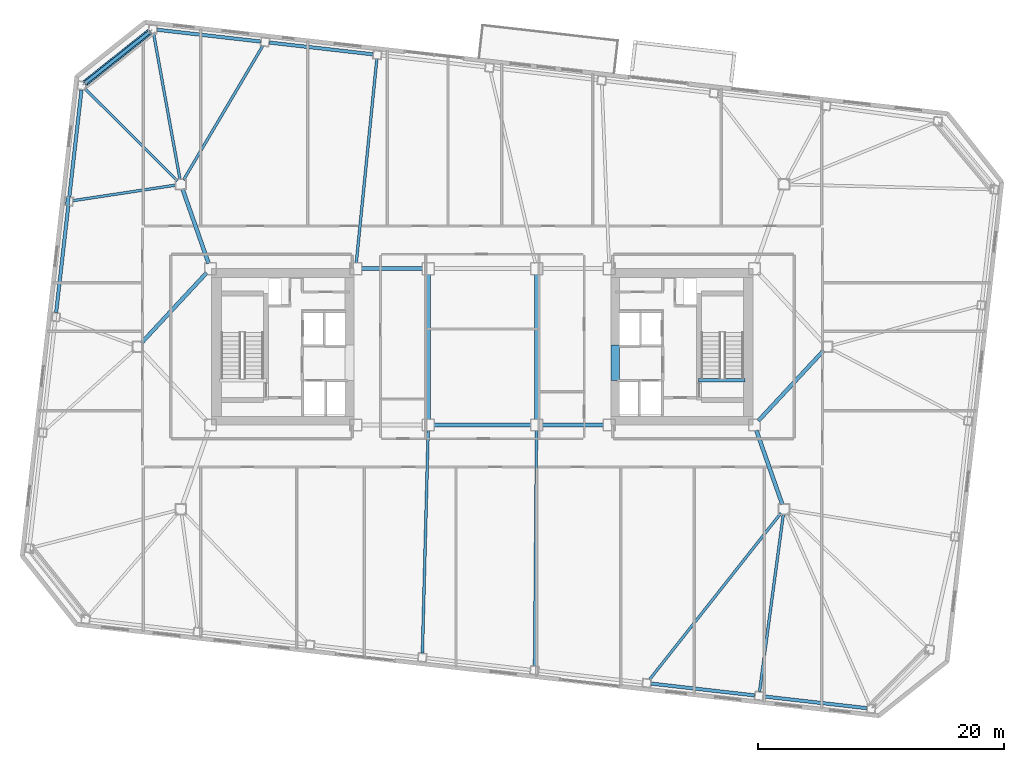
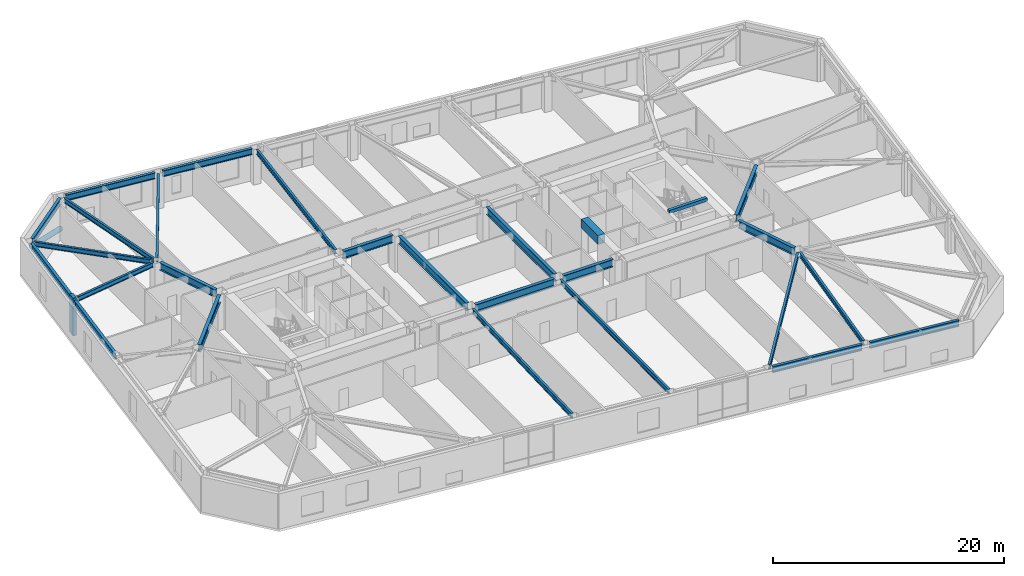
# One storey, part 5 of 21: 27 beams, 2 members.
"""IFC4 building model written with IfcOpenShell, lengths in metres."""

from ifc_helpers import new_model, si_unit, direction, frame, origin, origin_2d, place, context, subcontext, project, spatial, rectangle, hollow_circle, i_section, extrude, material, material_profile, profile_set, type_object, element, save


model = new_model("IFC4")

# Units and contexts
model_context = context("Model", 3, precision=1e-05, world=origin(), true_north=direction((0.0, 1.0)))
body_context = subcontext(model_context, "Body", "Model", "MODEL_VIEW")
ifc_project = project(units=[si_unit("LENGTHUNIT", "METRE"), si_unit("AREAUNIT", "SQUARE_METRE"), si_unit("VOLUMEUNIT", "CUBIC_METRE"), si_unit("PLANEANGLEUNIT", "RADIAN"), si_unit("MASSUNIT", "GRAM", prefix="KILO")], contexts=[model_context])

# Site, building, storey
site_placement = place(None, origin())
site = spatial("IfcSite", under=ifc_project, at=site_placement, CompositionType="ELEMENT")
building_placement = place(site_placement, origin())
building = spatial("IfcBuilding", under=site, at=building_placement, Name="Tavrogorsk Clinical Tower", CompositionType="ELEMENT")
storey_placement = place(building_placement, frame((0.0, 0.0, 125.39990234375)))
storey = spatial("IfcBuildingStorey", under=building, at=storey_placement, Name="L28", CompositionType="ELEMENT", Elevation=125.39990234375)

# Beam
ifc_material_1 = material(Name="Concrete B80", Category="concrete")
ifc_material_profile_1 = material_profile(ifc_material_1, rectangle(XDim=0.699951171875, YDim=0.949951171875, at=origin_2d()), Name="RC-CB-700x950")
ifc_profile_set_1 = profile_set([ifc_material_profile_1], Name="Concrete B80")
beam_type_1 = type_object("IfcBeamType", Name="CouplingBeam_RC700x950", PredefinedType="LINTEL", material=ifc_profile_set_1)
beam_1_placement = place(storey_placement, frame((10.800048828125, -2.75, 3.26513671875), z_axis=(0.0, 1.0, 0.0), x_axis=(-1.0, 0.0, 0.0)))
element("IfcBeam", 1, at=beam_1_placement, inside=storey, type_object=beam_type_1, Name="L28 Core East Coupling Beam", PredefinedType="LINTEL", context=body_context, shape_type="SweptSolid", body=[
    extrude(rectangle(XDim=0.699951171875, YDim=0.949951171875, at=origin_2d()), origin(), (0.0, 0.0, 1.0), 2.89990234375),
])

# Member
ifc_material_2 = material(Name="Structural steel S440", Category="steel")
ifc_material_profile_2 = material_profile(ifc_material_2, hollow_circle(Radius=0.25390625, WallThickness=0.02001953125, at=origin_2d()), Name="CHS-508x20")
ifc_profile_set_2 = profile_set([ifc_material_profile_2], Name="Structural steel S440")
member_type_1 = type_object("IfcMemberType", Name="ExoBrace_CHS508", PredefinedType="BRACE", material=ifc_profile_set_2)
member_1_placement = place(storey_placement, frame((-27.045654296875, 25.592041015625, 0.425048828125), z_axis=(-0.73336936718, -0.583326985798, 0.349140371371), x_axis=(0.622500682662, -0.782619256143, 0.0)))
element("IfcMember", 2, at=member_1_placement, inside=storey, type_object=member_type_1, Name="L28 Corner Exoskeleton Brace N8-W1", PredefinedType="BRACE", context=body_context, shape_type="SweptSolid", body=[
    extrude(hollow_circle(Radius=0.25390625, WallThickness=0.02001953125, at=origin_2d()), origin(), (0.0, 0.0, 1.0), 7.1318359375),
])

# Beams
ifc_material_3 = material(Name="Structural steel S355", Category="steel")
ifc_material_profile_3 = material_profile(ifc_material_3, i_section(OverallWidth=0.219970703125, OverallDepth=0.5, WebThickness=0.012939453125, FlangeThickness=0.02001953125, at=origin_2d()), Name="B-500x220x13x20")
ifc_profile_set_3 = profile_set([ifc_material_profile_3], Name="Structural steel S355")
beam_type_2 = type_object("IfcBeamType", Name="FloorBeam_B500", PredefinedType="BEAM", material=ifc_profile_set_3)
beam_2_placement = place(storey_placement, frame((-4.411865234375, -6.809814453125, 3.489990234375), z_axis=(-0.025907273598, -0.999664350257, 0.0), x_axis=(0.999664350257, -0.025907273598, 0.0)))
element("IfcBeam", 3, at=beam_2_placement, inside=storey, type_object=beam_type_2, Name="L28 Radial Floor Beam S4", PredefinedType="BEAM", context=body_context, shape_type="SweptSolid", body=[
    extrude(i_section(OverallWidth=0.219970703125, OverallDepth=0.5, WebThickness=0.012939453125, FlangeThickness=0.02001953125, at=origin_2d()), origin(), (0.0, 0.0, 1.0), 18.083984375),
])
beam_3_placement = place(storey_placement, frame((4.39599609375, -6.81005859375, 3.489990234375), z_axis=(-0.00859471964, -0.999963064715, 0.0), x_axis=(0.999963064715, -0.00859471964, 0.0)))
element("IfcBeam", 4, at=beam_3_placement, inside=storey, type_object=beam_type_2, Name="L28 Radial Floor Beam S5", PredefinedType="BEAM", context=body_context, shape_type="SweptSolid", body=[
    extrude(i_section(OverallWidth=0.219970703125, OverallDepth=0.5, WebThickness=0.012939453125, FlangeThickness=0.02001953125, at=origin_2d()), origin(), (0.0, 0.0, 1.0), 19.1171875),
])
beam_4_placement = place(storey_placement, frame((24.245849609375, -13.521728515625, 3.489990234375), z_axis=(-0.619757312108, -0.784793523221, 0.0), x_axis=(0.784793523221, -0.619757312108, 0.0)))
element("IfcBeam", 5, at=beam_4_placement, inside=storey, type_object=beam_type_2, Name="L28 Radial Floor Beam S6", PredefinedType="BEAM", context=body_context, shape_type="SweptSolid", body=[
    extrude(i_section(OverallWidth=0.219970703125, OverallDepth=0.5, WebThickness=0.012939453125, FlangeThickness=0.02001953125, at=origin_2d()), origin(), (0.0, 0.0, 1.0), 17.22802734375),
])
beam_5_placement = place(storey_placement, frame((24.445556640625, -13.6064453125, 3.489990234375), z_axis=(-0.133025440596, -0.991112623345, 0.0), x_axis=(0.991112623345, -0.133025440596, 0.0)))
element("IfcBeam", 6, at=beam_5_placement, inside=storey, type_object=beam_type_2, Name="L28 Radial Floor Beam S7", PredefinedType="BEAM", context=body_context, shape_type="SweptSolid", body=[
    extrude(i_section(OverallWidth=0.219970703125, OverallDepth=0.5, WebThickness=0.012939453125, FlangeThickness=0.02001953125, at=origin_2d()), origin(), (0.0, 0.0, 1.0), 14.530029296875),
])
beam_6_placement = place(storey_placement, frame((-10.25390625, 6.8076171875, 3.489990234375), z_axis=(0.100407035617, 0.994946444387, 0.0), x_axis=(-0.994946444387, 0.100407035617, 0.0)))
element("IfcBeam", 7, at=beam_6_placement, inside=storey, type_object=beam_type_2, Name="L28 Radial Floor Beam N6", PredefinedType="BEAM", context=body_context, shape_type="SweptSolid", body=[
    extrude(i_section(OverallWidth=0.219970703125, OverallDepth=0.5, WebThickness=0.012939453125, FlangeThickness=0.02001953125, at=origin_2d()), origin(), (0.0, 0.0, 1.0), 16.643798828125),
])
beam_7_placement = place(storey_placement, frame((-24.291259765625, 13.552978515625, 3.489990234375), z_axis=(0.508876748392, 0.86083938975, 0.0), x_axis=(-0.86083938975, 0.508876748392, 0.0)))
element("IfcBeam", 8, at=beam_7_placement, inside=storey, type_object=beam_type_2, Name="L28 Radial Floor Beam N7", PredefinedType="BEAM", context=body_context, shape_type="SweptSolid", body=[
    extrude(i_section(OverallWidth=0.219970703125, OverallDepth=0.5, WebThickness=0.012939453125, FlangeThickness=0.02001953125, at=origin_2d()), origin(), (0.0, 0.0, 1.0), 12.663330078125),
])
beam_8_placement = place(storey_placement, frame((-24.572998046875, 13.603515625, 3.489990234375), z_axis=(-0.178287530482, 0.983978432932, 0.0), x_axis=(-0.983978432932, -0.178287530482, 0.0)))
element("IfcBeam", 9, at=beam_8_placement, inside=storey, type_object=beam_type_2, Name="L28 Radial Floor Beam N8", PredefinedType="BEAM", context=body_context, shape_type="SweptSolid", body=[
    extrude(i_section(OverallWidth=0.219970703125, OverallDepth=0.5, WebThickness=0.012939453125, FlangeThickness=0.02001953125, at=origin_2d()), origin(), (0.0, 0.0, 1.0), 12.0380859375),
])
beam_9_placement = place(storey_placement, frame((-24.790283203125, 13.48974609375, 3.489990234375), z_axis=(-0.707775090959, 0.706437839175, 0.0), x_axis=(-0.706437839175, -0.707775090959, 0.0)))
element("IfcBeam", 10, at=beam_9_placement, inside=storey, type_object=beam_type_2, Name="L28 Radial Floor Beam W1", PredefinedType="BEAM", context=body_context, shape_type="SweptSolid", body=[
    extrude(i_section(OverallWidth=0.219970703125, OverallDepth=0.5, WebThickness=0.012939453125, FlangeThickness=0.02001953125, at=origin_2d()), origin(), (0.0, 0.0, 1.0), 10.589111328125),
])
beam_10_placement = place(storey_placement, frame((-24.905517578125, 13.138671875, 3.489990234375), z_axis=(-0.98878314082, -0.149358295482, 0.0), x_axis=(0.149358295482, -0.98878314082, 0.0)))
element("IfcBeam", 11, at=beam_10_placement, inside=storey, type_object=beam_type_2, Name="L28 Radial Floor Beam W2", PredefinedType="BEAM", context=body_context, shape_type="SweptSolid", body=[
    extrude(i_section(OverallWidth=0.219970703125, OverallDepth=0.5, WebThickness=0.012939453125, FlangeThickness=0.02001953125, at=origin_2d()), origin(), (0.0, 0.0, 1.0), 8.4443359375),
])

# Member
ifc_material_4 = material(Name="Precast concrete B45 with limestone cladding", Category="masonry")
ifc_material_profile_4 = material_profile(ifc_material_4, rectangle(XDim=0.320068359375, YDim=0.719970703125, at=origin_2d()), Name="LIMESTONE-FIN-320x720")
ifc_profile_set_4 = profile_set([ifc_material_profile_4], Name="Precast concrete B45 with limestone cladding")
member_type_2 = type_object("IfcMemberType", Name="LimestonePleatFin_320x720", PredefinedType="USERDEFINED", material=ifc_profile_set_4)
member_2_placement = place(storey_placement, frame((-33.688720703125, 11.8330078125, 0.0), z_axis=(0.0, 0.0, 1.0), x_axis=(0.993571855677, -0.113203213768, 0.0)))
element("IfcMember", 12, at=member_2_placement, inside=storey, type_object=member_type_2, Name="L28 W Pleated Stone Fin 1", ObjectType="FIN", PredefinedType="USERDEFINED", context=body_context, shape_type="SweptSolid", body=[
    extrude(rectangle(XDim=0.320068359375, YDim=0.719970703125, at=origin_2d()), origin(), (0.0, 0.0, 1.0), 4.0),
])

# Beams
ifc_material_5 = material(Name="Structural steel S390", Category="steel")
ifc_material_profile_5 = material_profile(ifc_material_5, i_section(OverallWidth=0.320068359375, OverallDepth=0.800048828125, WebThickness=0.02001953125, FlangeThickness=0.033935546875, at=origin_2d()), Name="B-800x320x20x34")
ifc_profile_set_5 = profile_set([ifc_material_profile_5], Name="Structural steel S390")
beam_type_3 = type_object("IfcBeamType", Name="PrimaryGirder_B800", PredefinedType="USERDEFINED", material=ifc_profile_set_5)
beam_11_placement = place(storey_placement, frame((-9.840087890625, 6.35009765625, 3.340087890625), z_axis=(1.0, 0.0, 0.0), x_axis=(0.0, 1.0, 0.0)))
element("IfcBeam", 13, at=beam_11_placement, inside=storey, type_object=beam_type_3, Name="L28 Primary Spine Girder MG-02", ObjectType="GIRDER", PredefinedType="USERDEFINED", context=body_context, shape_type="SweptSolid", body=[
    extrude(i_section(OverallWidth=0.320068359375, OverallDepth=0.800048828125, WebThickness=0.02001953125, FlangeThickness=0.033935546875, at=origin_2d()), origin(), (0.0, 0.0, 1.0), 4.97998046875),
])
beam_12_placement = place(storey_placement, frame((-3.93994140625, -6.35009765625, 3.340087890625), z_axis=(1.0, 0.0, 0.0), x_axis=(0.0, 1.0, 0.0)))
element("IfcBeam", 14, at=beam_12_placement, inside=storey, type_object=beam_type_3, Name="L28 Primary Spine Girder MG-03", ObjectType="GIRDER", PredefinedType="USERDEFINED", context=body_context, shape_type="SweptSolid", body=[
    extrude(i_section(OverallWidth=0.320068359375, OverallDepth=0.800048828125, WebThickness=0.02001953125, FlangeThickness=0.033935546875, at=origin_2d()), origin(), (0.0, 0.0, 1.0), 7.8798828125),
])
beam_13_placement = place(storey_placement, frame((4.860107421875, -6.35009765625, 3.340087890625), z_axis=(1.0, 0.0, 0.0), x_axis=(0.0, 1.0, 0.0)))
element("IfcBeam", 15, at=beam_13_placement, inside=storey, type_object=beam_type_3, Name="L28 Primary Spine Girder MG-05", ObjectType="GIRDER", PredefinedType="USERDEFINED", context=body_context, shape_type="SweptSolid", body=[
    extrude(i_section(OverallWidth=0.320068359375, OverallDepth=0.800048828125, WebThickness=0.02001953125, FlangeThickness=0.033935546875, at=origin_2d()), origin(), (0.0, 0.0, 1.0), 4.97998046875),
])
for number, where, z_axis, x_axis, name in (
    (16, (-4.39990234375, -5.889892578125, 3.340087890625), (0.0, 1.0, 0.0), (-1.0, 0.0, 0.0), "L28 Primary Spine Girder MG-07"),
    (17, (4.39990234375, -5.889892578125, 3.340087890625), (0.0, 1.0, 0.0), (-1.0, 0.0, 0.0), "L28 Primary Spine Girder MG-08"),
):
    element("IfcBeam", number, at=place(storey_placement, frame(where, z_axis=z_axis, x_axis=x_axis)), inside=storey, type_object=beam_type_3, Name=name, ObjectType="GIRDER", PredefinedType="USERDEFINED", context=body_context, shape_type="SweptSolid", body=[
        extrude(i_section(OverallWidth=0.320068359375, OverallDepth=0.800048828125, WebThickness=0.02001953125, FlangeThickness=0.033935546875, at=origin_2d()), origin(), (0.0, 0.0, 1.0), 11.77978515625),
    ])
for number, where, z_axis, x_axis, name in (
    (18, (24.364501953125, -12.81298828125, 3.340087890625), (-0.330660234815, 0.943749865755, 0.0), (-0.943749865755, -0.330660234815, 0.0), "L28 Spine Link Girder OPG-2"),
    (19, (-24.364501953125, 12.81298828125, 3.340087890625), (0.330660234815, -0.943749865755, 0.0), (0.943749865755, 0.330660234815, 0.0), "L28 Spine Link Girder OPG-3"),
):
    element("IfcBeam", number, at=place(storey_placement, frame(where, z_axis=z_axis, x_axis=x_axis)), inside=storey, type_object=beam_type_3, Name=name, ObjectType="GIRDER", PredefinedType="USERDEFINED", context=body_context, shape_type="SweptSolid", body=[
        extrude(i_section(OverallWidth=0.320068359375, OverallDepth=0.800048828125, WebThickness=0.02001953125, FlangeThickness=0.033935546875, at=origin_2d()), origin(), (0.0, 0.0, 1.0), 6.38818359375),
    ])
for number, where, z_axis, x_axis, name in (
    (20, (-27.720947265625, 0.30029296875, 3.340087890625), (0.680675630035, 0.732584934787, 0.0), (-0.732584934787, 0.680675630035, 0.0), "L28 Spine Link Girder OPG-6"),
    (21, (27.720947265625, -0.30029296875, 3.340087890625), (-0.680675630035, -0.732584934787, 0.0), (0.732584934787, -0.680675630035, 0.0), "L28 Spine Link Girder OPG-7"),
):
    element("IfcBeam", number, at=place(storey_placement, frame(where, z_axis=z_axis, x_axis=x_axis)), inside=storey, type_object=beam_type_3, Name=name, ObjectType="GIRDER", PredefinedType="USERDEFINED", context=body_context, shape_type="SweptSolid", body=[
        extrude(i_section(OverallWidth=0.320068359375, OverallDepth=0.800048828125, WebThickness=0.02001953125, FlangeThickness=0.033935546875, at=origin_2d()), origin(), (0.0, 0.0, 1.0), 7.7978515625),
    ])
ifc_material_6 = material(Name="Structural steel S390", Category="steel")
ifc_material_profile_6 = material_profile(ifc_material_6, i_section(OverallWidth=0.280029296875, OverallDepth=0.64990234375, WebThickness=0.01611328125, FlangeThickness=0.02490234375, at=origin_2d()), Name="B-650x280x16x25")
ifc_profile_set_6 = profile_set([ifc_material_profile_6], Name="Structural steel S390")
beam_type_4 = type_object("IfcBeamType", Name="SpandrelBeam_B650", PredefinedType="SPANDREL", material=ifc_profile_set_6)
beam_14_placement = place(storey_placement, frame((13.702392578125, -27.36376953125, 3.4150390625), z_axis=(0.993569819641, -0.113221082395, 0.0), x_axis=(0.113221082395, 0.993569819641, 0.0)))
element("IfcBeam", 22, at=beam_14_placement, inside=storey, type_object=beam_type_4, Name="L28 Perimeter Spandrel S6-S7", PredefinedType="SPANDREL", context=body_context, shape_type="SweptSolid", body=[
    extrude(i_section(OverallWidth=0.280029296875, OverallDepth=0.64990234375, WebThickness=0.01611328125, FlangeThickness=0.02490234375, at=origin_2d()), origin(), (0.0, 0.0, 1.0), 8.46142578125),
])
beam_15_placement = place(storey_placement, frame((22.82080078125, -28.40283203125, 3.4150390625), z_axis=(0.99357232562, -0.113199089054, 0.0), x_axis=(0.113199089054, 0.99357232562, 0.0)))
element("IfcBeam", 23, at=beam_15_placement, inside=storey, type_object=beam_type_4, Name="L28 Perimeter Spandrel S7-S8", PredefinedType="SPANDREL", context=body_context, shape_type="SweptSolid", body=[
    extrude(i_section(OverallWidth=0.280029296875, OverallDepth=0.64990234375, WebThickness=0.01611328125, FlangeThickness=0.02490234375, at=origin_2d()), origin(), (0.0, 0.0, 1.0), 8.4609375),
])
for number, where, z_axis, x_axis, name in (
    (24, (-8.902587890625, 23.763916015625, 3.4150390625), (-0.993572695356, 0.113195843756, 0.0), (-0.113195843756, -0.993572695356, 0.0), "L28 Perimeter Spandrel N6-N7"),
    (25, (-18.020751953125, 24.802734375, 3.4150390625), (-0.993572695356, 0.113195843756, 0.0), (-0.113195843756, -0.993572695356, 0.0), "L28 Perimeter Spandrel N7-N8"),
):
    element("IfcBeam", number, at=place(storey_placement, frame(where, z_axis=z_axis, x_axis=x_axis)), inside=storey, type_object=beam_type_4, Name=name, PredefinedType="SPANDREL", context=body_context, shape_type="SweptSolid", body=[
        extrude(i_section(OverallWidth=0.280029296875, OverallDepth=0.64990234375, WebThickness=0.01611328125, FlangeThickness=0.02490234375, at=origin_2d()), origin(), (0.0, 0.0, 1.0), 8.461181640625),
    ])
beam_16_placement = place(storey_placement, frame((-27.063232421875, 25.578125, 3.4150390625), z_axis=(-0.782613271493, -0.622508206599, 0.0), x_axis=(0.622508206599, -0.782613271493, 0.0)))
element("IfcBeam", 26, at=beam_16_placement, inside=storey, type_object=beam_type_4, Name="L28 Perimeter Spandrel N8-W1", PredefinedType="SPANDREL", context=body_context, shape_type="SweptSolid", body=[
    extrude(i_section(OverallWidth=0.280029296875, OverallDepth=0.64990234375, WebThickness=0.01611328125, FlangeThickness=0.02490234375, at=origin_2d()), origin(), (0.0, 0.0, 1.0), 6.6376953125),
])
for number, where, z_axis, x_axis, name in (
    (27, (-32.578857421875, 20.867431640625, 3.4150390625), (-0.113192226434, -0.993573107464, 0.0), (0.993573107464, -0.113192226434, 0.0), "L28 Perimeter Spandrel W1-W2"),
    (28, (-33.649658203125, 11.46826171875, 3.4150390625), (-0.113219789686, -0.993569966949, 0.0), (0.993569966949, -0.113219789686, 0.0), "L28 Perimeter Spandrel W2-W3"),
):
    element("IfcBeam", number, at=place(storey_placement, frame(where, z_axis=z_axis, x_axis=x_axis)), inside=storey, type_object=beam_type_4, Name=name, PredefinedType="SPANDREL", context=body_context, shape_type="SweptSolid", body=[
        extrude(i_section(OverallWidth=0.280029296875, OverallDepth=0.64990234375, WebThickness=0.01611328125, FlangeThickness=0.02490234375, at=origin_2d()), origin(), (0.0, 0.0, 1.0), 8.743896484375),
    ])
ifc_material_7 = material(Name="Concrete B60", Category="concrete")
ifc_material_profile_7 = material_profile(ifc_material_7, rectangle(XDim=0.300048828125, YDim=0.35009765625, at=origin_2d()), Name="RC-SHB-300x350")
ifc_profile_set_7 = profile_set([ifc_material_profile_7], Name="Concrete B60")
beam_type_5 = type_object("IfcBeamType", Name="StairHeaderBeam_RC300x350", PredefinedType="BEAM", material=ifc_profile_set_7)
beam_17_placement = place(storey_placement, frame((17.550048828125, -2.719970703125, 3.8251953125), z_axis=(1.0, 0.0, 0.0), x_axis=(0.0, 1.0, 0.0)))
element("IfcBeam", 29, at=beam_17_placement, inside=storey, type_object=beam_type_5, Name="L29 ST-E Landing Header Beam", PredefinedType="BEAM", context=body_context, shape_type="SweptSolid", body=[
    extrude(rectangle(XDim=0.300048828125, YDim=0.35009765625, at=origin_2d()), origin(), (0.0, 0.0, 1.0), 3.800048828125),
])

save(model, "model.ifc")
